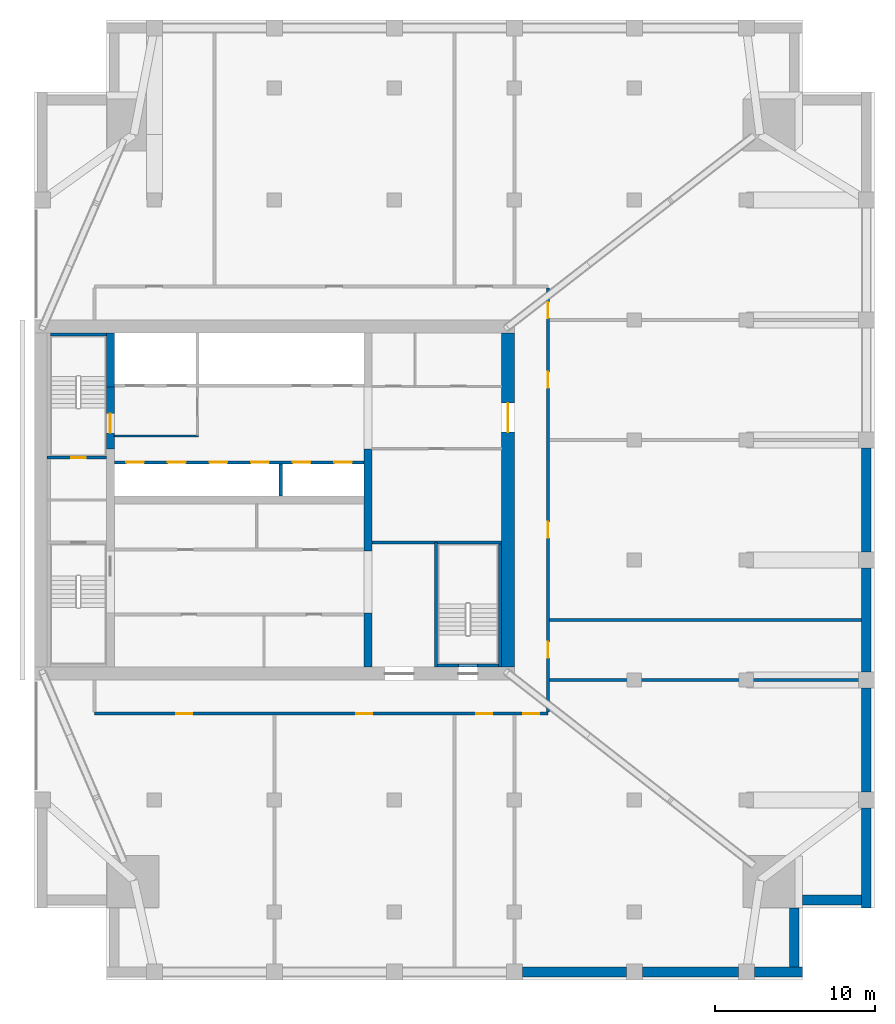
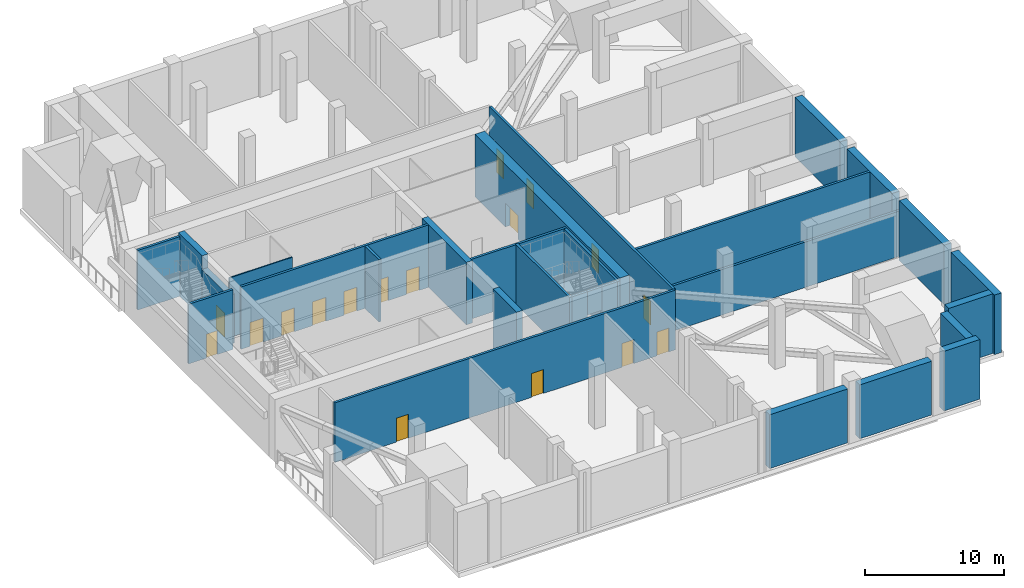
# One storey, part 3 of 9: 29 walls, 17 doors, 17 openings.
"""IFC4 building model written with IfcOpenShell, lengths in metres."""

from ifc_helpers import new_model, si_unit, direction, frame, frame_2d, origin, place, context, subcontext, project, spatial, rectangle, extrude, material, layer, layer_set, type_object, element, fill, save


model = new_model("IFC4")

# Units and contexts
model_context = context("Model", 3, precision=1e-05, world=origin(), true_north=direction((0.0, 1.0)))
body_context = subcontext(model_context, "Body", "Model", "MODEL_VIEW")
ifc_project = project(units=[si_unit("LENGTHUNIT", "METRE"), si_unit("AREAUNIT", "SQUARE_METRE"), si_unit("VOLUMEUNIT", "CUBIC_METRE"), si_unit("PLANEANGLEUNIT", "RADIAN"), si_unit("MASSUNIT", "GRAM", prefix="KILO")], contexts=[model_context])

# Site, building, storey
site_placement = place(None, origin())
site = spatial("IfcSite", under=ifc_project, at=site_placement, CompositionType="ELEMENT")
building_placement = place(site_placement, origin())
building = spatial("IfcBuilding", under=site, at=building_placement, Name="Tamorin Gate", CompositionType="ELEMENT")
storey_placement = place(building_placement, frame((0.0, 0.0, 214.199951171875)))
storey = spatial("IfcBuildingStorey", under=building, at=storey_placement, Name="L53", CompositionType="ELEMENT", Elevation=214.199951171875)

# Wall, openings, doors
ifc_material_1 = material(Name="Concrete C32/40", Category="concrete")
ifc_layer_1 = layer(ifc_material_1, 0.199951171875)
ifc_layer_set_1 = layer_set([ifc_layer_1], Name="Lift lobby face wall 200 EI 120")
wall_type_1 = type_object("IfcWallType", Name="Lift lobby face wall 200 EI 120", PredefinedType="SOLIDWALL", material=ifc_layer_set_1)
wall_1_placement = place(storey_placement, frame((35.0, 73.60009765625, 0.0), z_axis=(0.0, 0.0, 1.0), x_axis=(1.0, 0.0, 0.0)))
wall_1 = element("IfcWall", 1, at=wall_1_placement, inside=storey, type_object=wall_type_1, Name="Lift lobby face wall", PredefinedType="SOLIDWALL", context=body_context, shape_type="SweptSolid", body=[
    extrude(rectangle(XDim=15.60009765625, YDim=0.199951171875, at=frame_2d((7.800048828125, 0.0))), origin(), (0.0, 0.0, 1.0), 5.5),
])
opening_1_placement = place(wall_1_placement, frame((0.75, 0.0, 0.0)))
opening_1 = element("IfcOpeningElement", 2, at=opening_1_placement, cuts=wall_1, Name="Opening LD11", PredefinedType="OPENING", context=body_context, shape_type="SweptSolid", body=[
    extrude(rectangle(XDim=1.10009765625, YDim=2.10009765625, at=frame_2d((0.550048828125, 1.050048828125))), frame((0.0, 0.10986328125, 0.0), z_axis=(0.0, -1.0, 0.0), x_axis=(1.0, 0.0, 0.0)), (0.0, 0.0, 1.0), 0.219970703125),
])
opening_2_placement = place(wall_1_placement, frame((3.35009765625, 0.0, 0.0)))
opening_2 = element("IfcOpeningElement", 3, at=opening_2_placement, cuts=wall_1, Name="Opening LD12", PredefinedType="OPENING", context=body_context, shape_type="SweptSolid", body=[
    extrude(rectangle(XDim=1.10009765625, YDim=2.10009765625, at=frame_2d((0.550048828125, 1.050048828125))), frame((0.0, 0.10986328125, 0.0), z_axis=(0.0, -1.0, 0.0), x_axis=(1.0, 0.0, 0.0)), (0.0, 0.0, 1.0), 0.219970703125),
])
opening_3_placement = place(wall_1_placement, frame((5.949951171875, 0.0, 0.0)))
opening_3 = element("IfcOpeningElement", 4, at=opening_3_placement, cuts=wall_1, Name="Opening LD13", PredefinedType="OPENING", context=body_context, shape_type="SweptSolid", body=[
    extrude(rectangle(XDim=1.10009765625, YDim=2.10009765625, at=frame_2d((0.550048828125, 1.050048828125))), frame((0.0, 0.10986328125, 0.0), z_axis=(0.0, -1.0, 0.0), x_axis=(1.0, 0.0, 0.0)), (0.0, 0.0, 1.0), 0.219970703125),
])
opening_4_placement = place(wall_1_placement, frame((8.550048828125, 0.0, 0.0)))
opening_4 = element("IfcOpeningElement", 5, at=opening_4_placement, cuts=wall_1, Name="Opening LD14", PredefinedType="OPENING", context=body_context, shape_type="SweptSolid", body=[
    extrude(rectangle(XDim=1.10009765625, YDim=2.10009765625, at=frame_2d((0.550048828125, 1.050048828125))), frame((0.0, 0.10986328125, 0.0), z_axis=(0.0, -1.0, 0.0), x_axis=(1.0, 0.0, 0.0)), (0.0, 0.0, 1.0), 0.219970703125),
])
opening_5_placement = place(wall_1_placement, frame((11.14990234375, 0.0, 0.0)))
opening_5 = element("IfcOpeningElement", 6, at=opening_5_placement, cuts=wall_1, Name="Opening LD15", PredefinedType="OPENING", context=body_context, shape_type="SweptSolid", body=[
    extrude(rectangle(XDim=1.10009765625, YDim=2.10009765625, at=frame_2d((0.550048828125, 1.050048828125))), frame((0.0, 0.10986328125, 0.0), z_axis=(0.0, -1.0, 0.0), x_axis=(1.0, 0.0, 0.0)), (0.0, 0.0, 1.0), 0.219970703125),
])
opening_6_placement = place(wall_1_placement, frame((13.75, 0.0, 0.0)))
opening_6 = element("IfcOpeningElement", 7, at=opening_6_placement, cuts=wall_1, Name="Opening LD16", PredefinedType="OPENING", context=body_context, shape_type="SweptSolid", body=[
    extrude(rectangle(XDim=1.10009765625, YDim=2.10009765625, at=frame_2d((0.550048828125, 1.050048828125))), frame((0.0, 0.10986328125, 0.0), z_axis=(0.0, -1.0, 0.0), x_axis=(1.0, 0.0, 0.0)), (0.0, 0.0, 1.0), 0.219970703125),
])
ifc_material_2 = material(Name="Stainless steel sliding door", Category="steel")
door_type_1 = type_object("IfcDoorType", Name="Lift landing door 1100 x 2100 E 90", OperationType="DOUBLE_DOOR_SLIDING", PredefinedType="DOOR", material=ifc_material_2)
door_1_placement = place(opening_1_placement, origin())
door_1 = element("IfcDoor", 8, at=door_1_placement, inside=storey, type_object=door_type_1, Name="HR1 landing door", OperationType="DOUBLE_DOOR_SLIDING", OverallHeight=2.10009765625, OverallWidth=1.10009765625, PredefinedType="DOOR", context=body_context, shape_type="SweptSolid", body=[
    extrude(rectangle(XDim=1.10009765625, YDim=2.10009765625, at=frame_2d((0.550048828125, 1.050048828125))), frame((0.0, 0.02490234375, 0.0), z_axis=(0.0, -1.0, 0.0), x_axis=(1.0, 0.0, 0.0)), (0.0, 0.0, 1.0), 0.050048828125),
])
fill(opening_1, door_1)
door_2_placement = place(opening_2_placement, origin())
door_2 = element("IfcDoor", 9, at=door_2_placement, inside=storey, type_object=door_type_1, Name="HR2 landing door", OperationType="DOUBLE_DOOR_SLIDING", OverallHeight=2.10009765625, OverallWidth=1.10009765625, PredefinedType="DOOR", context=body_context, shape_type="SweptSolid", body=[
    extrude(rectangle(XDim=1.10009765625, YDim=2.10009765625, at=frame_2d((0.550048828125, 1.050048828125))), frame((0.0, 0.02490234375, 0.0), z_axis=(0.0, -1.0, 0.0), x_axis=(1.0, 0.0, 0.0)), (0.0, 0.0, 1.0), 0.050048828125),
])
fill(opening_2, door_2)
door_3_placement = place(opening_3_placement, origin())
door_3 = element("IfcDoor", 10, at=door_3_placement, inside=storey, type_object=door_type_1, Name="HR3 landing door", OperationType="DOUBLE_DOOR_SLIDING", OverallHeight=2.10009765625, OverallWidth=1.10009765625, PredefinedType="DOOR", context=body_context, shape_type="SweptSolid", body=[
    extrude(rectangle(XDim=1.10009765625, YDim=2.10009765625, at=frame_2d((0.550048828125, 1.050048828125))), frame((0.0, 0.02490234375, 0.0), z_axis=(0.0, -1.0, 0.0), x_axis=(1.0, 0.0, 0.0)), (0.0, 0.0, 1.0), 0.050048828125),
])
fill(opening_3, door_3)
door_4_placement = place(opening_4_placement, origin())
door_4 = element("IfcDoor", 11, at=door_4_placement, inside=storey, type_object=door_type_1, Name="HR4 landing door", OperationType="DOUBLE_DOOR_SLIDING", OverallHeight=2.10009765625, OverallWidth=1.10009765625, PredefinedType="DOOR", context=body_context, shape_type="SweptSolid", body=[
    extrude(rectangle(XDim=1.10009765625, YDim=2.10009765625, at=frame_2d((0.550048828125, 1.050048828125))), frame((0.0, 0.02490234375, 0.0), z_axis=(0.0, -1.0, 0.0), x_axis=(1.0, 0.0, 0.0)), (0.0, 0.0, 1.0), 0.050048828125),
])
fill(opening_4, door_4)
door_5_placement = place(opening_5_placement, origin())
door_5 = element("IfcDoor", 12, at=door_5_placement, inside=storey, type_object=door_type_1, Name="HR5 landing door", OperationType="DOUBLE_DOOR_SLIDING", OverallHeight=2.10009765625, OverallWidth=1.10009765625, PredefinedType="DOOR", context=body_context, shape_type="SweptSolid", body=[
    extrude(rectangle(XDim=1.10009765625, YDim=2.10009765625, at=frame_2d((0.550048828125, 1.050048828125))), frame((0.0, 0.02490234375, 0.0), z_axis=(0.0, -1.0, 0.0), x_axis=(1.0, 0.0, 0.0)), (0.0, 0.0, 1.0), 0.050048828125),
])
fill(opening_5, door_5)
door_6_placement = place(opening_6_placement, origin())
door_6 = element("IfcDoor", 13, at=door_6_placement, inside=storey, type_object=door_type_1, Name="HR6 landing door", OperationType="DOUBLE_DOOR_SLIDING", OverallHeight=2.10009765625, OverallWidth=1.10009765625, PredefinedType="DOOR", context=body_context, shape_type="SweptSolid", body=[
    extrude(rectangle(XDim=1.10009765625, YDim=2.10009765625, at=frame_2d((0.550048828125, 1.050048828125))), frame((0.0, 0.02490234375, 0.0), z_axis=(0.0, -1.0, 0.0), x_axis=(1.0, 0.0, 0.0)), (0.0, 0.0, 1.0), 0.050048828125),
])
fill(opening_6, door_6)

# Walls
ifc_layer_2 = layer(ifc_material_1, 0.199951171875)
ifc_layer_set_2 = layer_set([ifc_layer_2], Name="Lift shaft wall 200 EI 120")
wall_type_2 = type_object("IfcWallType", Name="Lift shaft wall 200 EI 120", PredefinedType="SOLIDWALL", material=ifc_layer_set_2)
wall_2_placement = place(storey_placement, frame((45.39990234375, 71.5, 0.0), z_axis=(0.0, 0.0, 1.0), x_axis=(0.0, 1.0, 0.0)))
element("IfcWall", 14, at=wall_2_placement, inside=storey, type_object=wall_type_2, Name="Lift shaft wall", PredefinedType="SOLIDWALL", context=body_context, shape_type="SweptSolid", body=[
    extrude(rectangle(XDim=2.0, YDim=0.199951171875, at=frame_2d((1.0, 0.0))), origin(), (0.0, 0.0, 1.0), 5.5),
])
ifc_material_3 = material(Name="Fire-rated gypsum board partition")
ifc_layer_3 = layer(ifc_material_3, 0.10009765625)
ifc_layer_set_3 = layer_set([ifc_layer_3], Name="Lobby wall 100 EI 60")
wall_type_3 = type_object("IfcWallType", Name="Lobby wall 100 EI 60", PredefinedType="PARTITIONING", material=ifc_layer_set_3)
wall_3_placement = place(storey_placement, frame((35.0, 75.25, 0.0), z_axis=(0.0, 0.0, 1.0), x_axis=(1.0, 0.0, 0.0)))
element("IfcWall", 15, at=wall_3_placement, inside=storey, type_object=wall_type_3, Name="Firefighting lobby wall", PredefinedType="PARTITIONING", context=body_context, shape_type="SweptSolid", body=[
    extrude(rectangle(XDim=5.25, YDim=0.10009765625, at=frame_2d((2.625, 0.0))), origin(), (0.0, 0.0, 1.0), 5.25),
])
ifc_material_4 = material(Name="Aluminium louvres in concrete frame", Category="concrete")
ifc_layer_4 = layer(ifc_material_4, 0.60009765625)
ifc_layer_set_4 = layer_set([ifc_layer_4], Name="Louvred plant wall 600")
wall_type_4 = type_object("IfcWallType", Name="Louvred plant wall 600", PredefinedType="ELEMENTEDWALL", material=ifc_layer_set_4)
wall_4_placement = place(storey_placement, frame((60.5, 41.75, 0.0), z_axis=(0.0, 0.0, 1.0), x_axis=(1.0, 0.0, 0.0)))
element("IfcWall", 16, at=wall_4_placement, inside=storey, type_object=wall_type_4, Name="Louvred plant wall", PredefinedType="ELEMENTEDWALL", context=body_context, shape_type="SweptSolid", body=[
    extrude(rectangle(XDim=6.5, YDim=0.60009765625, at=frame_2d((3.25, 0.0))), origin(), (0.0, 0.0, 1.0), 4.75),
])
wall_5_placement = place(storey_placement, frame((68.0, 41.75, 0.0), z_axis=(0.0, 0.0, 1.0), x_axis=(1.0, 0.0, 0.0)))
element("IfcWall", 17, at=wall_5_placement, inside=storey, type_object=wall_type_4, Name="Louvred plant wall", PredefinedType="ELEMENTEDWALL", context=body_context, shape_type="SweptSolid", body=[
    extrude(rectangle(XDim=6.0, YDim=0.60009765625, at=frame_2d((3.0, 0.0))), origin(), (0.0, 0.0, 1.0), 4.75),
])
wall_6_placement = place(storey_placement, frame((75.0, 41.75, 0.0), z_axis=(0.0, 0.0, 1.0), x_axis=(1.0, 0.0, 0.0)))
element("IfcWall", 18, at=wall_6_placement, inside=storey, type_object=wall_type_4, Name="Louvred plant wall", PredefinedType="ELEMENTEDWALL", context=body_context, shape_type="SweptSolid", body=[
    extrude(rectangle(XDim=3.0, YDim=0.60009765625, at=frame_2d((1.5, 0.0))), origin(), (0.0, 0.0, 1.0), 5.25),
])
for number, where, z_axis, x_axis, name in (
    (19, (77.5, 42.050048828125, 0.0), (0.0, 0.0, 1.0), (0.0, 1.0, 0.0), "Louvred plant wall"),
    (20, (78.0, 46.25, 0.0), (0.0, 0.0, 1.0), (1.0, 0.0, 0.0), "Louvred plant wall"),
):
    element("IfcWall", number, at=place(storey_placement, frame(where, z_axis=z_axis, x_axis=x_axis)), inside=storey, type_object=wall_type_4, Name=name, PredefinedType="ELEMENTEDWALL", context=body_context, shape_type="SweptSolid", body=[
        extrude(rectangle(XDim=3.699951171875, YDim=0.60009765625, at=frame_2d((1.85009765625, 0.0))), origin(), (0.0, 0.0, 1.0), 5.25),
    ])
wall_7_placement = place(storey_placement, frame((82.0, 45.75, 0.0), z_axis=(0.0, 0.0, 1.0), x_axis=(0.0, 1.0, 0.0)))
element("IfcWall", 21, at=wall_7_placement, inside=storey, type_object=wall_type_4, Name="Louvred plant wall", PredefinedType="ELEMENTEDWALL", context=body_context, shape_type="SweptSolid", body=[
    extrude(rectangle(XDim=6.25, YDim=0.60009765625, at=frame_2d((3.125, 0.0))), origin(), (0.0, 0.0, 1.0), 5.25),
])
for number, where, z_axis, x_axis, name in (
    (22, (82.0, 53.0, 0.0), (0.0, 0.0, 1.0), (0.0, 1.0, 0.0), "Louvred plant wall"),
    (23, (82.0, 60.5, 0.0), (0.0, 0.0, 1.0), (0.0, 1.0, 0.0), "Louvred plant wall"),
    (24, (82.0, 68.0, 0.0), (0.0, 0.0, 1.0), (0.0, 1.0, 0.0), "Louvred plant wall"),
):
    element("IfcWall", number, at=place(storey_placement, frame(where, z_axis=z_axis, x_axis=x_axis)), inside=storey, type_object=wall_type_4, Name=name, PredefinedType="ELEMENTEDWALL", context=body_context, shape_type="SweptSolid", body=[
        extrude(rectangle(XDim=6.5, YDim=0.60009765625, at=frame_2d((3.25, 0.0))), origin(), (0.0, 0.0, 1.0), 5.25),
    ])

# Wall, openings, doors
ifc_material_5 = material(Name="Gypsum board partition")
ifc_layer_5 = layer(ifc_material_5, 0.199951171875)
ifc_layer_set_5 = layer_set([ifc_layer_5], Name="Plant and refuge wall 200")
wall_type_5 = type_object("IfcWallType", Name="Plant and refuge wall 200", PredefinedType="PARTITIONING", material=ifc_layer_set_5)
wall_8_placement = place(storey_placement, frame((33.75, 57.89990234375, 0.0), z_axis=(0.0, 0.0, 1.0), x_axis=(1.0, 0.0, 0.0)))
wall_8 = element("IfcWall", 25, at=wall_8_placement, inside=storey, type_object=wall_type_5, Name="Plant and refuge wall 200", PredefinedType="PARTITIONING", context=body_context, shape_type="SweptSolid", body=[
    extrude(rectangle(XDim=28.35009765625, YDim=0.199951171875, at=frame_2d((14.175048828125, 0.0))), origin(), (0.0, 0.0, 1.0), 5.25),
])
opening_7_placement = place(wall_8_placement, frame((5.125, 0.0, 0.0)))
opening_7 = element("IfcOpeningElement", 26, at=opening_7_placement, cuts=wall_8, Name="Opening DPL3001", PredefinedType="OPENING", context=body_context, shape_type="SweptSolid", body=[
    extrude(rectangle(XDim=1.0, YDim=2.10009765625, at=frame_2d((0.5, 1.050048828125))), frame((0.0, 0.10986328125, 0.0), z_axis=(0.0, -1.0, 0.0), x_axis=(1.0, 0.0, 0.0)), (0.0, 0.0, 1.0), 0.219970703125),
])
opening_8_placement = place(wall_8_placement, frame((16.375, 0.0, 0.0)))
opening_8 = element("IfcOpeningElement", 27, at=opening_8_placement, cuts=wall_8, Name="Opening DPL3002", PredefinedType="OPENING", context=body_context, shape_type="SweptSolid", body=[
    extrude(rectangle(XDim=1.0, YDim=2.10009765625, at=frame_2d((0.5, 1.050048828125))), frame((0.0, 0.10986328125, 0.0), z_axis=(0.0, -1.0, 0.0), x_axis=(1.0, 0.0, 0.0)), (0.0, 0.0, 1.0), 0.219970703125),
])
opening_9_placement = place(wall_8_placement, frame((23.875, 0.0, 0.0)))
opening_9 = element("IfcOpeningElement", 28, at=opening_9_placement, cuts=wall_8, Name="Opening DPL3003", PredefinedType="OPENING", context=body_context, shape_type="SweptSolid", body=[
    extrude(rectangle(XDim=1.0, YDim=2.10009765625, at=frame_2d((0.5, 1.050048828125))), frame((0.0, 0.10986328125, 0.0), z_axis=(0.0, -1.0, 0.0), x_axis=(1.0, 0.0, 0.0)), (0.0, 0.0, 1.0), 0.219970703125),
])
opening_10_placement = place(wall_8_placement, frame((26.800048828125, 0.0, 0.0)))
opening_10 = element("IfcOpeningElement", 29, at=opening_10_placement, cuts=wall_8, Name="Opening DPL3004", PredefinedType="OPENING", context=body_context, shape_type="SweptSolid", body=[
    extrude(rectangle(XDim=1.0, YDim=2.10009765625, at=frame_2d((0.5, 1.050048828125))), frame((0.0, 0.10986328125, 0.0), z_axis=(0.0, -1.0, 0.0), x_axis=(1.0, 0.0, 0.0)), (0.0, 0.0, 1.0), 0.219970703125),
])
ifc_material_6 = material(Name="Timber door leaf", Category="wood")
door_type_2 = type_object("IfcDoorType", Name="Door 1000 x 2100 FD60", OperationType="NOTDEFINED", PredefinedType="DOOR", material=ifc_material_6)
door_7_placement = place(opening_7_placement, origin())
door_7 = element("IfcDoor", 30, at=door_7_placement, inside=storey, type_object=door_type_2, Name="Door DPL3001", OperationType="SINGLE_SWING_RIGHT", OverallHeight=2.10009765625, OverallWidth=1.0, PredefinedType="DOOR", context=body_context, shape_type="SweptSolid", body=[
    extrude(rectangle(XDim=1.0, YDim=2.10009765625, at=frame_2d((0.5, 1.050048828125))), frame((0.0, 0.02490234375, 0.0), z_axis=(0.0, -1.0, 0.0), x_axis=(1.0, 0.0, 0.0)), (0.0, 0.0, 1.0), 0.050048828125),
])
fill(opening_7, door_7)
door_8_placement = place(opening_8_placement, origin())
door_8 = element("IfcDoor", 31, at=door_8_placement, inside=storey, type_object=door_type_2, Name="Door DPL3002", OperationType="SINGLE_SWING_RIGHT", OverallHeight=2.10009765625, OverallWidth=1.0, PredefinedType="DOOR", context=body_context, shape_type="SweptSolid", body=[
    extrude(rectangle(XDim=1.0, YDim=2.10009765625, at=frame_2d((0.5, 1.050048828125))), frame((0.0, 0.02490234375, 0.0), z_axis=(0.0, -1.0, 0.0), x_axis=(1.0, 0.0, 0.0)), (0.0, 0.0, 1.0), 0.050048828125),
])
fill(opening_8, door_8)
door_9_placement = place(opening_9_placement, origin())
door_9 = element("IfcDoor", 32, at=door_9_placement, inside=storey, type_object=door_type_2, Name="Door DPL3003", OperationType="SINGLE_SWING_RIGHT", OverallHeight=2.10009765625, OverallWidth=1.0, PredefinedType="DOOR", context=body_context, shape_type="SweptSolid", body=[
    extrude(rectangle(XDim=1.0, YDim=2.10009765625, at=frame_2d((0.5, 1.050048828125))), frame((0.0, 0.02490234375, 0.0), z_axis=(0.0, -1.0, 0.0), x_axis=(1.0, 0.0, 0.0)), (0.0, 0.0, 1.0), 0.050048828125),
])
fill(opening_9, door_9)
door_10_placement = place(opening_10_placement, origin())
door_10 = element("IfcDoor", 33, at=door_10_placement, inside=storey, type_object=door_type_2, Name="Door DPL3004", OperationType="SINGLE_SWING_RIGHT", OverallHeight=2.10009765625, OverallWidth=1.0, PredefinedType="DOOR", context=body_context, shape_type="SweptSolid", body=[
    extrude(rectangle(XDim=1.0, YDim=2.10009765625, at=frame_2d((0.5, 1.050048828125))), frame((0.0, 0.02490234375, 0.0), z_axis=(0.0, -1.0, 0.0), x_axis=(1.0, 0.0, 0.0)), (0.0, 0.0, 1.0), 0.050048828125),
])
fill(opening_10, door_10)

# Walls
wall_9_placement = place(storey_placement, frame((62.199951171875, 60.0, 0.0), z_axis=(0.0, 0.0, 1.0), x_axis=(1.0, 0.0, 0.0)))
element("IfcWall", 34, at=wall_9_placement, inside=storey, type_object=wall_type_5, Name="Plant and refuge wall 200", PredefinedType="PARTITIONING", context=body_context, shape_type="SweptSolid", body=[
    extrude(rectangle(XDim=20.300048828125, YDim=0.199951171875, at=frame_2d((10.14990234375, 0.0))), origin(), (0.0, 0.0, 1.0), 4.0),
])
wall_10_placement = place(storey_placement, frame((62.199951171875, 63.75, 0.0), z_axis=(0.0, 0.0, 1.0), x_axis=(1.0, 0.0, 0.0)))
element("IfcWall", 35, at=wall_10_placement, inside=storey, type_object=wall_type_5, Name="Plant and refuge wall 200", PredefinedType="PARTITIONING", context=body_context, shape_type="SweptSolid", body=[
    extrude(rectangle(XDim=19.489990234375, YDim=0.199951171875, at=frame_2d((9.7451171875, 0.0))), origin(), (0.0, 0.0, 1.0), 5.25),
])

# Wall, openings, doors
wall_11_placement = place(storey_placement, frame((62.10009765625, 58.0, 0.0), z_axis=(0.0, 0.0, 1.0), x_axis=(0.0, 1.0, 0.0)))
wall_11 = element("IfcWall", 36, at=wall_11_placement, inside=storey, type_object=wall_type_5, Name="Plant and refuge wall 200", PredefinedType="PARTITIONING", context=body_context, shape_type="SweptSolid", body=[
    extrude(rectangle(XDim=26.5, YDim=0.199951171875, at=frame_2d((13.25, 0.0))), origin(), (0.0, 0.0, 1.0), 5.25),
])
opening_11_placement = place(wall_11_placement, frame((24.610107421875, 0.0, 0.0)))
opening_11 = element("IfcOpeningElement", 37, at=opening_11_placement, cuts=wall_11, Name="Opening DPL3008", PredefinedType="OPENING", context=body_context, shape_type="SweptSolid", body=[
    extrude(rectangle(XDim=1.0, YDim=2.10009765625, at=frame_2d((0.5, 1.050048828125))), frame((0.0, 0.10986328125, 0.0), z_axis=(0.0, -1.0, 0.0), x_axis=(1.0, 0.0, 0.0)), (0.0, 0.0, 1.0), 0.219970703125),
])
opening_12_placement = place(wall_11_placement, frame((3.375, 0.0, 0.0)))
opening_12 = element("IfcOpeningElement", 38, at=opening_12_placement, cuts=wall_11, Name="Opening DPL3009", PredefinedType="OPENING", context=body_context, shape_type="SweptSolid", body=[
    extrude(rectangle(XDim=1.0, YDim=2.10009765625, at=frame_2d((0.5, 1.050048828125))), frame((0.0, 0.10986328125, 0.0), z_axis=(0.0, -1.0, 0.0), x_axis=(1.0, 0.0, 0.0)), (0.0, 0.0, 1.0), 0.219970703125),
])
opening_13_placement = place(wall_11_placement, frame((10.875, 0.0, 0.0)))
opening_13 = element("IfcOpeningElement", 39, at=opening_13_placement, cuts=wall_11, Name="Opening DPL3010", PredefinedType="OPENING", context=body_context, shape_type="SweptSolid", body=[
    extrude(rectangle(XDim=1.0, YDim=2.10009765625, at=frame_2d((0.5, 1.050048828125))), frame((0.0, 0.10986328125, 0.0), z_axis=(0.0, -1.0, 0.0), x_axis=(1.0, 0.0, 0.0)), (0.0, 0.0, 1.0), 0.219970703125),
])
opening_14_placement = place(wall_11_placement, frame((20.25, 0.0, 0.0)))
opening_14 = element("IfcOpeningElement", 40, at=opening_14_placement, cuts=wall_11, Name="Opening DPL3011", PredefinedType="OPENING", context=body_context, shape_type="SweptSolid", body=[
    extrude(rectangle(XDim=1.0, YDim=2.10009765625, at=frame_2d((0.5, 1.050048828125))), frame((0.0, 0.10986328125, 0.0), z_axis=(0.0, -1.0, 0.0), x_axis=(1.0, 0.0, 0.0)), (0.0, 0.0, 1.0), 0.219970703125),
])
door_11_placement = place(opening_11_placement, origin())
door_11 = element("IfcDoor", 41, at=door_11_placement, inside=storey, type_object=door_type_2, Name="Door DPL3008", OperationType="SINGLE_SWING_RIGHT", OverallHeight=2.10009765625, OverallWidth=1.0, PredefinedType="DOOR", context=body_context, shape_type="SweptSolid", body=[
    extrude(rectangle(XDim=1.0, YDim=2.10009765625, at=frame_2d((0.5, 1.050048828125))), frame((0.0, 0.02490234375, 0.0), z_axis=(0.0, -1.0, 0.0), x_axis=(1.0, 0.0, 0.0)), (0.0, 0.0, 1.0), 0.050048828125),
])
fill(opening_11, door_11)
door_12_placement = place(opening_12_placement, origin())
door_12 = element("IfcDoor", 42, at=door_12_placement, inside=storey, type_object=door_type_2, Name="Door DPL3009", OperationType="SINGLE_SWING_RIGHT", OverallHeight=2.10009765625, OverallWidth=1.0, PredefinedType="DOOR", context=body_context, shape_type="SweptSolid", body=[
    extrude(rectangle(XDim=1.0, YDim=2.10009765625, at=frame_2d((0.5, 1.050048828125))), frame((0.0, 0.02490234375, 0.0), z_axis=(0.0, -1.0, 0.0), x_axis=(1.0, 0.0, 0.0)), (0.0, 0.0, 1.0), 0.050048828125),
])
fill(opening_12, door_12)
door_13_placement = place(opening_13_placement, origin())
door_13 = element("IfcDoor", 43, at=door_13_placement, inside=storey, type_object=door_type_2, Name="Door DPL3010", OperationType="SINGLE_SWING_RIGHT", OverallHeight=2.10009765625, OverallWidth=1.0, PredefinedType="DOOR", context=body_context, shape_type="SweptSolid", body=[
    extrude(rectangle(XDim=1.0, YDim=2.10009765625, at=frame_2d((0.5, 1.050048828125))), frame((0.0, 0.02490234375, 0.0), z_axis=(0.0, -1.0, 0.0), x_axis=(1.0, 0.0, 0.0)), (0.0, 0.0, 1.0), 0.050048828125),
])
fill(opening_13, door_13)
door_14_placement = place(opening_14_placement, origin())
door_14 = element("IfcDoor", 44, at=door_14_placement, inside=storey, type_object=door_type_2, Name="Door DPL3011", OperationType="SINGLE_SWING_RIGHT", OverallHeight=2.10009765625, OverallWidth=1.0, PredefinedType="DOOR", context=body_context, shape_type="SweptSolid", body=[
    extrude(rectangle(XDim=1.0, YDim=2.10009765625, at=frame_2d((0.5, 1.050048828125))), frame((0.0, 0.02490234375, 0.0), z_axis=(0.0, -1.0, 0.0), x_axis=(1.0, 0.0, 0.0)), (0.0, 0.0, 1.0), 0.050048828125),
])
fill(opening_14, door_14)

# Walls
ifc_material_7 = material(Name="Concrete C60/75", Category="concrete")
ifc_layer_6 = layer(ifc_material_7, 0.5)
ifc_layer_set_6 = layer_set([ifc_layer_6], Name="RC core internal wall 500 C60/75")
wall_type_6 = type_object("IfcWallType", Name="RC core internal wall 500 C60/75", PredefinedType="SHEAR", material=ifc_layer_set_6)
for number, where, z_axis, x_axis, name in (
    (45, (34.75, 78.300048828125, 0.0), (0.0, 0.0, 1.0), (0.0, 1.0, 0.0), "Core cross wall L53"),
    (46, (50.85009765625, 60.800048828125, 0.0), (0.0, 0.0, 1.0), (0.0, 1.0, 0.0), "Core cross wall L53"),
):
    element("IfcWall", number, at=place(storey_placement, frame(where, z_axis=z_axis, x_axis=x_axis)), inside=storey, type_object=wall_type_6, Name=name, PredefinedType="SHEAR", context=body_context, shape_type="SweptSolid", body=[
        extrude(rectangle(XDim=3.39990234375, YDim=0.5, at=frame_2d((1.699951171875, 0.0))), origin(), (0.0, 0.0, 1.0), 5.5),
    ])
wall_12_placement = place(storey_placement, frame((50.85009765625, 68.050048828125, 0.0), z_axis=(0.0, 0.0, 1.0), x_axis=(0.0, 1.0, 0.0)))
element("IfcWall", 47, at=wall_12_placement, inside=storey, type_object=wall_type_6, Name="Core cross wall L53", PredefinedType="SHEAR", context=body_context, shape_type="SweptSolid", body=[
    extrude(rectangle(XDim=6.39990234375, YDim=0.5, at=frame_2d((3.199951171875, 0.0))), origin(), (0.0, 0.0, 1.0), 5.5),
])

# Wall, opening, door
ifc_layer_7 = layer(ifc_material_7, 0.800048828125)
ifc_layer_set_7 = layer_set([ifc_layer_7], Name="RC core wall 800 C60/75")
wall_type_7 = type_object("IfcWallType", Name="RC core wall 800 C60/75", PredefinedType="SHEAR", material=ifc_layer_set_7)
wall_13_placement = place(storey_placement, frame((59.60009765625, 60.800048828125, 0.0), z_axis=(0.0, 0.0, 1.0), x_axis=(0.0, 1.0, 0.0)))
wall_13 = element("IfcWall", 48, at=wall_13_placement, inside=storey, type_object=wall_type_7, Name="Core wall L53", PredefinedType="SHEAR", context=body_context, shape_type="SweptSolid", body=[
    extrude(rectangle(XDim=20.89990234375, YDim=0.800048828125, at=frame_2d((10.449951171875, 0.0))), origin(), (0.0, 0.0, 1.0), 5.5),
])
opening_15_placement = place(wall_13_placement, frame((14.699951171875, 0.0, 0.0)))
opening_15 = element("IfcOpeningElement", 49, at=opening_15_placement, cuts=wall_13, Name="Opening DE1", PredefinedType="OPENING", context=body_context, shape_type="SweptSolid", body=[
    extrude(rectangle(XDim=1.800048828125, YDim=2.10009765625, at=frame_2d((0.89990234375, 1.050048828125))), frame((0.0, 0.409912109375, 0.0), z_axis=(0.0, -1.0, 0.0), x_axis=(1.0, 0.0, 0.0)), (0.0, 0.0, 1.0), 0.820068359375),
])
ifc_material_8 = material(Name="Steel fire door", Category="steel")
door_type_3 = type_object("IfcDoorType", Name="Lobby exit double door 1800 x 2100 EI 60", OperationType="DOUBLE_DOOR_SINGLE_SWING", PredefinedType="DOOR", material=ifc_material_8)
door_15_placement = place(opening_15_placement, origin())
door_15 = element("IfcDoor", 50, at=door_15_placement, inside=storey, type_object=door_type_3, Name="Lift lobby B exit door", OperationType="DOUBLE_DOOR_SINGLE_SWING", OverallHeight=2.10009765625, OverallWidth=1.800048828125, PredefinedType="DOOR", context=body_context, shape_type="SweptSolid", body=[
    extrude(rectangle(XDim=1.800048828125, YDim=2.10009765625, at=frame_2d((0.89990234375, 1.050048828125))), frame((0.0, 0.02490234375, 0.0), z_axis=(0.0, -1.0, 0.0), x_axis=(1.0, 0.0, 0.0)), (0.0, 0.0, 1.0), 0.050048828125),
])
fill(opening_15, door_15)

ifc_material_9 = material(Name="Concrete C40/50", Category="concrete")
ifc_layer_8 = layer(ifc_material_9, 0.199951171875)
ifc_layer_set_8 = layer_set([ifc_layer_8], Name="Stair enclosure wall 200 EI 120 C40/50")
wall_type_8 = type_object("IfcWallType", Name="Stair enclosure wall 200 EI 120 C40/50", PredefinedType="SOLIDWALL", material=ifc_layer_set_8)
wall_14_placement = place(storey_placement, frame((30.800048828125, 73.89990234375, 0.0), z_axis=(0.0, 0.0, 1.0), x_axis=(1.0, 0.0, 0.0)))
wall_14 = element("IfcWall", 51, at=wall_14_placement, inside=storey, type_object=wall_type_8, Name="Stair enclosure wall", PredefinedType="SOLIDWALL", context=body_context, shape_type="SweptSolid", body=[
    extrude(rectangle(XDim=3.699951171875, YDim=0.199951171875, at=frame_2d((1.85009765625, 0.0))), origin(), (0.0, 0.0, 1.0), 5.25),
])
opening_16_placement = place(wall_14_placement, frame((1.5, 0.0, 0.0)))
opening_16 = element("IfcOpeningElement", 52, at=opening_16_placement, cuts=wall_14, Name="Opening DR1", PredefinedType="OPENING", context=body_context, shape_type="SweptSolid", body=[
    extrude(rectangle(XDim=0.89990234375, YDim=2.10009765625, at=frame_2d((0.449951171875, 1.050048828125))), frame((0.0, 0.10986328125, 0.0), z_axis=(0.0, -1.0, 0.0), x_axis=(1.0, 0.0, 0.0)), (0.0, 0.0, 1.0), 0.219970703125),
])
door_type_4 = type_object("IfcDoorType", Name="Riser access door 900 x 2100 EI 120", OperationType="SINGLE_SWING_LEFT", PredefinedType="DOOR", material=ifc_material_8)
door_16_placement = place(opening_16_placement, origin())
door_16 = element("IfcDoor", 53, at=door_16_placement, inside=storey, type_object=door_type_4, Name="Communications riser door", OperationType="SINGLE_SWING_RIGHT", OverallHeight=2.10009765625, OverallWidth=0.89990234375, PredefinedType="DOOR", context=body_context, shape_type="SweptSolid", body=[
    extrude(rectangle(XDim=0.89990234375, YDim=2.10009765625, at=frame_2d((0.449951171875, 1.050048828125))), frame((0.0, 0.02490234375, 0.0), z_axis=(0.0, -1.0, 0.0), x_axis=(1.0, 0.0, 0.0)), (0.0, 0.0, 1.0), 0.050048828125),
])
fill(opening_16, door_16)

# Walls
wall_15_placement = place(storey_placement, frame((55.10009765625, 60.800048828125, 0.0), z_axis=(0.0, 0.0, 1.0), x_axis=(0.0, 1.0, 0.0)))
element("IfcWall", 54, at=wall_15_placement, inside=storey, type_object=wall_type_8, Name="Stair enclosure wall", PredefinedType="SOLIDWALL", context=body_context, shape_type="SweptSolid", body=[
    extrude(rectangle(XDim=7.800048828125, YDim=0.199951171875, at=frame_2d((3.89990234375, 0.0))), origin(), (0.0, 0.0, 1.0), 5.25),
])
wall_16_placement = place(storey_placement, frame((51.10009765625, 68.60009765625, 0.0), z_axis=(0.0, 0.0, 1.0), x_axis=(1.0, 0.0, 0.0)))
element("IfcWall", 55, at=wall_16_placement, inside=storey, type_object=wall_type_8, Name="Stair enclosure wall", PredefinedType="SOLIDWALL", context=body_context, shape_type="SweptSolid", body=[
    extrude(rectangle(XDim=8.099853515625, YDim=0.199951171875, at=frame_2d((4.0498046875, 0.0))), origin(), (0.0, 0.0, 1.0), 5.25),
])
ifc_layer_9 = layer(ifc_material_7, 0.199951171875)
ifc_layer_set_9 = layer_set([ifc_layer_9], Name="Stair lining wall 200 EI 120 C60/75")
wall_type_9 = type_object("IfcWallType", Name="Stair lining wall 200 EI 120 C60/75", PredefinedType="SOLIDWALL", material=ifc_layer_set_9)
wall_17_placement = place(storey_placement, frame((31.0, 81.60009765625, 0.0), z_axis=(0.0, 0.0, 1.0), x_axis=(1.0, 0.0, 0.0)))
element("IfcWall", 56, at=wall_17_placement, inside=storey, type_object=wall_type_9, Name="Stair lining wall", PredefinedType="SOLIDWALL", context=body_context, shape_type="SweptSolid", body=[
    extrude(rectangle(XDim=3.5, YDim=0.199951171875, at=frame_2d((1.75, 0.0))), origin(), (0.0, 0.0, 1.0), 5.25),
])
for number, where, z_axis, x_axis, name in (
    (57, (55.199951171875, 60.89990234375, 0.0), (0.0, 0.0, 1.0), (1.0, 0.0, 0.0), "Stair lining wall"),
    (58, (57.699951171875, 60.89990234375, 0.0), (0.0, 0.0, 1.0), (1.0, 0.0, 0.0), "Stair lining wall"),
):
    element("IfcWall", number, at=place(storey_placement, frame(where, z_axis=z_axis, x_axis=x_axis)), inside=storey, type_object=wall_type_9, Name=name, PredefinedType="SOLIDWALL", context=body_context, shape_type="SweptSolid", body=[
        extrude(rectangle(XDim=1.300048828125, YDim=0.199951171875, at=frame_2d((0.64990234375, 0.0))), origin(), (0.0, 0.0, 1.0), 5.25),
    ])
wall_18_placement = place(storey_placement, frame((59.10009765625, 60.800048828125, 0.0), z_axis=(0.0, 0.0, 1.0), x_axis=(0.0, 1.0, 0.0)))
element("IfcWall", 59, at=wall_18_placement, inside=storey, type_object=wall_type_9, Name="Stair lining wall", PredefinedType="SOLIDWALL", context=body_context, shape_type="SweptSolid", body=[
    extrude(rectangle(XDim=7.699951171875, YDim=0.199951171875, at=frame_2d((3.85009765625, 0.0))), origin(), (0.0, 0.0, 1.0), 5.25),
])
wall_19_placement = place(storey_placement, frame((56.5, 60.89990234375, 3.199951171875), z_axis=(0.0, 0.0, 1.0), x_axis=(1.0, 0.0, 0.0)))
element("IfcWall", 60, at=wall_19_placement, inside=storey, type_object=wall_type_9, Name="Stair lining wall", PredefinedType="SOLIDWALL", context=body_context, shape_type="SweptSolid", body=[
    extrude(rectangle(XDim=1.199951171875, YDim=0.199951171875, at=frame_2d((0.60009765625, 0.0))), origin(), (0.0, 0.0, 1.0), 2.050048828125),
])

# Wall, opening, door
ifc_layer_10 = layer(ifc_material_1, 0.5)
ifc_layer_set_10 = layer_set([ifc_layer_10], Name="Stair lobby infill wall 500 EI 120")
wall_type_10 = type_object("IfcWallType", Name="Stair lobby infill wall 500 EI 120", PredefinedType="SOLIDWALL", material=ifc_layer_set_10)
wall_20_placement = place(storey_placement, frame((34.75, 74.449951171875, 0.0), z_axis=(0.0, 0.0, 1.0), x_axis=(0.0, 1.0, 0.0)))
wall_20 = element("IfcWall", 61, at=wall_20_placement, inside=storey, type_object=wall_type_10, Name="Stair lobby infill wall", PredefinedType="SOLIDWALL", context=body_context, shape_type="SweptSolid", body=[
    extrude(rectangle(XDim=3.85009765625, YDim=0.5, at=frame_2d((1.925048828125, 0.0))), origin(), (0.0, 0.0, 1.0), 4.300048828125),
])
opening_17_placement = place(wall_20_placement, frame((1.0, 0.0, 0.0)))
opening_17 = element("IfcOpeningElement", 62, at=opening_17_placement, cuts=wall_20, Name="Opening DS1", PredefinedType="OPENING", context=body_context, shape_type="SweptSolid", body=[
    extrude(rectangle(XDim=1.199951171875, YDim=2.10009765625, at=frame_2d((0.60009765625, 1.050048828125))), frame((0.0, 0.260009765625, 0.0), z_axis=(0.0, -1.0, 0.0), x_axis=(1.0, 0.0, 0.0)), (0.0, 0.0, 1.0), 0.52001953125),
])
door_type_5 = type_object("IfcDoorType", Name="Stair door 1200 x 2100 EI 90", OperationType="SINGLE_SWING_LEFT", PredefinedType="DOOR", material=ifc_material_8)
door_17_placement = place(opening_17_placement, origin())
door_17 = element("IfcDoor", 63, at=door_17_placement, inside=storey, type_object=door_type_5, Name="ST2 door", OperationType="SINGLE_SWING_RIGHT", OverallHeight=2.10009765625, OverallWidth=1.199951171875, PredefinedType="DOOR", context=body_context, shape_type="SweptSolid", body=[
    extrude(rectangle(XDim=1.199951171875, YDim=2.10009765625, at=frame_2d((0.60009765625, 1.050048828125))), frame((0.0, 0.02490234375, 0.0), z_axis=(0.0, -1.0, 0.0), x_axis=(1.0, 0.0, 0.0)), (0.0, 0.0, 1.0), 0.050048828125),
])
fill(opening_17, door_17)

save(model, "model.ifc")
